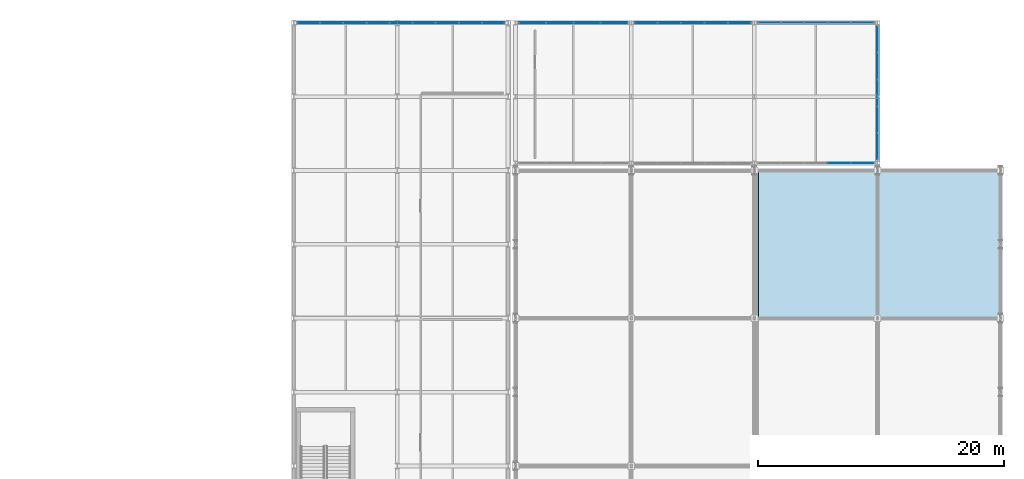
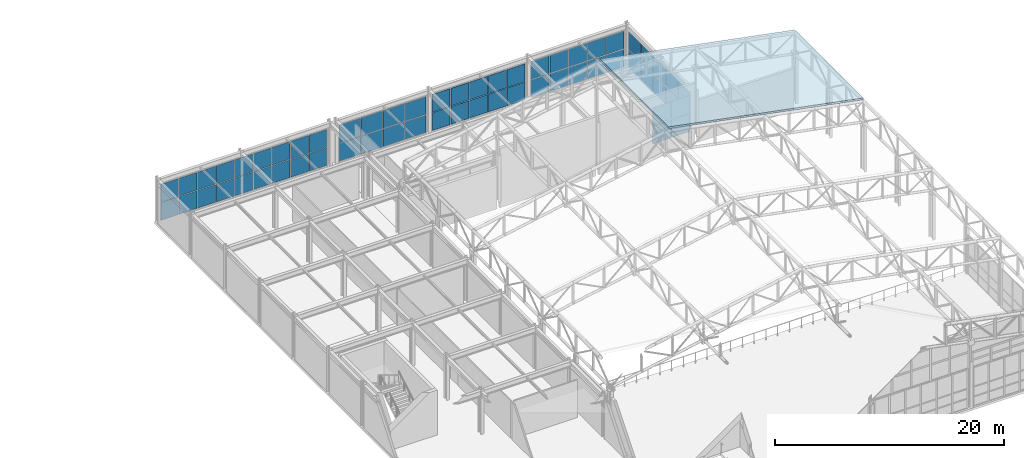
# One storey, part 93 of 112: 60 plates, 1 slab, 7 elements without a shape of their own.
"""IFC4 building model written with IfcOpenShell, lengths in metres."""

from ifc_helpers import new_model, si_unit, direction, frame, origin, origin_2d, place, context, subcontext, project, spatial, polyline, rectangle, outline, extrude, material, layer, layer_set, type_object, element, aggregate, save


model = new_model("IFC4")

# Units and contexts
model_context = context("Model", 3, precision=1e-05, world=origin(), true_north=direction((0.0, 1.0)))
body_context = subcontext(model_context, "Body", "Model", "MODEL_VIEW")
ifc_project = project(units=[si_unit("LENGTHUNIT", "METRE"), si_unit("AREAUNIT", "SQUARE_METRE"), si_unit("VOLUMEUNIT", "CUBIC_METRE"), si_unit("PLANEANGLEUNIT", "RADIAN"), si_unit("MASSUNIT", "GRAM", prefix="KILO")], contexts=[model_context])

# Site, building, storey
site_placement = place(None, origin())
site = spatial("IfcSite", under=ifc_project, at=site_placement, CompositionType="ELEMENT")
building_placement = place(site_placement, origin())
building = spatial("IfcBuilding", under=site, at=building_placement, Name="Kaldris Quays Convention Centre", CompositionType="ELEMENT")
storey_placement = place(building_placement, frame((0.0, 0.0, 16.800048828125)))
storey = spatial("IfcBuildingStorey", under=building, at=storey_placement, Name="L03", CompositionType="ELEMENT", Elevation=16.800048828125)

# Curtain wall, plates
ifc_material_1 = material(Name="Anodized aluminium AW-6060 and triple glazing", Category="aluminium")
curtain_wall_type_1 = type_object("IfcCurtainWallType", Name="UNITISED CURTAIN WALL CW06", PredefinedType="NOTDEFINED", material=ifc_material_1)
curtain_wall_1_placement = place(storey_placement, origin())
curtain_wall_1 = element("IfcCurtainWall", 1, at=curtain_wall_1_placement, inside=storey, type_object=curtain_wall_type_1, Name="L03 Unitised Curtain Wall CW06 177", PredefinedType="NOTDEFINED")
ifc_material_2 = material(Name="Triple low-E insulated glazing", Category="glass")
plate_type_1 = type_object("IfcPlateType", Name="CURTAIN GLAZING PANEL CWP1", PredefinedType="CURTAIN_PANEL", material=ifc_material_2)
plate_1_placement = place(storey_placement, frame((185.215087890625, 116.0, 0.059814453125), z_axis=(0.0, 0.0, 1.0), x_axis=(1.0, 0.0, 0.0)))
plate_1 = element("IfcPlate", 2, at=plate_1_placement, type_object=plate_type_1, Name="CW06 panel 1.1", PredefinedType="CURTAIN_PANEL", context=body_context, shape_type="SweptSolid", body=[
    extrude(rectangle(XDim=1.81005859375, YDim=0.029052734375, at=origin_2d()), origin(), (0.0, 0.0, 1.0), 1.89404296875),
])
plate_2_placement = place(storey_placement, frame((185.215087890625, 116.0, 2.013916015625), z_axis=(0.0, 0.0, 1.0), x_axis=(1.0, 0.0, 0.0)))
plate_2 = element("IfcPlate", 3, at=plate_2_placement, type_object=plate_type_1, Name="CW06 panel 1.2", PredefinedType="CURTAIN_PANEL", context=body_context, shape_type="SweptSolid", body=[
    extrude(rectangle(XDim=1.81005859375, YDim=0.029052734375, at=origin_2d()), origin(), (0.0, 0.0, 1.0), 1.89306640625),
])
plate_3_placement = place(storey_placement, frame((187.10009765625, 116.0, 0.059814453125), z_axis=(0.0, 0.0, 1.0), x_axis=(1.0, 0.0, 0.0)))
plate_3 = element("IfcPlate", 4, at=plate_3_placement, type_object=plate_type_1, Name="CW06 panel 2.1", PredefinedType="CURTAIN_PANEL", context=body_context, shape_type="SweptSolid", body=[
    extrude(rectangle(XDim=1.840087890625, YDim=0.029052734375, at=origin_2d()), origin(), (0.0, 0.0, 1.0), 1.89404296875),
])
plate_4_placement = place(storey_placement, frame((187.10009765625, 116.0, 2.013916015625), z_axis=(0.0, 0.0, 1.0), x_axis=(1.0, 0.0, 0.0)))
plate_4 = element("IfcPlate", 5, at=plate_4_placement, type_object=plate_type_1, Name="CW06 panel 2.2", PredefinedType="CURTAIN_PANEL", context=body_context, shape_type="SweptSolid", body=[
    extrude(rectangle(XDim=1.840087890625, YDim=0.029052734375, at=origin_2d()), origin(), (0.0, 0.0, 1.0), 1.89306640625),
])
plate_5_placement = place(storey_placement, frame((189.0, 116.0, 0.059814453125), z_axis=(0.0, 0.0, 1.0), x_axis=(1.0, 0.0, 0.0)))
plate_5 = element("IfcPlate", 6, at=plate_5_placement, type_object=plate_type_1, Name="CW06 panel 3.1", PredefinedType="CURTAIN_PANEL", context=body_context, shape_type="SweptSolid", body=[
    extrude(rectangle(XDim=1.840087890625, YDim=0.029052734375, at=origin_2d()), origin(), (0.0, 0.0, 1.0), 1.89404296875),
])
plate_6_placement = place(storey_placement, frame((189.0, 116.0, 2.013916015625), z_axis=(0.0, 0.0, 1.0), x_axis=(1.0, 0.0, 0.0)))
plate_6 = element("IfcPlate", 7, at=plate_6_placement, type_object=plate_type_1, Name="CW06 panel 3.2", PredefinedType="CURTAIN_PANEL", context=body_context, shape_type="SweptSolid", body=[
    extrude(rectangle(XDim=1.840087890625, YDim=0.029052734375, at=origin_2d()), origin(), (0.0, 0.0, 1.0), 1.89306640625),
])
plate_7_placement = place(storey_placement, frame((190.89990234375, 116.0, 0.059814453125), z_axis=(0.0, 0.0, 1.0), x_axis=(1.0, 0.0, 0.0)))
plate_7 = element("IfcPlate", 8, at=plate_7_placement, type_object=plate_type_1, Name="CW06 panel 4.1", PredefinedType="CURTAIN_PANEL", context=body_context, shape_type="SweptSolid", body=[
    extrude(rectangle(XDim=1.840087890625, YDim=0.029052734375, at=origin_2d()), origin(), (0.0, 0.0, 1.0), 1.89404296875),
])
plate_8_placement = place(storey_placement, frame((190.89990234375, 116.0, 2.013916015625), z_axis=(0.0, 0.0, 1.0), x_axis=(1.0, 0.0, 0.0)))
plate_8 = element("IfcPlate", 9, at=plate_8_placement, type_object=plate_type_1, Name="CW06 panel 4.2", PredefinedType="CURTAIN_PANEL", context=body_context, shape_type="SweptSolid", body=[
    extrude(rectangle(XDim=1.840087890625, YDim=0.029052734375, at=origin_2d()), origin(), (0.0, 0.0, 1.0), 1.89306640625),
])
plate_9_placement = place(storey_placement, frame((192.784912109375, 116.0, 0.059814453125), z_axis=(0.0, 0.0, 1.0), x_axis=(1.0, 0.0, 0.0)))
plate_9 = element("IfcPlate", 10, at=plate_9_placement, type_object=plate_type_1, Name="CW06 panel 5.1", PredefinedType="CURTAIN_PANEL", context=body_context, shape_type="SweptSolid", body=[
    extrude(rectangle(XDim=1.81005859375, YDim=0.029052734375, at=origin_2d()), origin(), (0.0, 0.0, 1.0), 1.89404296875),
])
plate_10_placement = place(storey_placement, frame((192.784912109375, 116.0, 2.013916015625), z_axis=(0.0, 0.0, 1.0), x_axis=(1.0, 0.0, 0.0)))
plate_10 = element("IfcPlate", 11, at=plate_10_placement, type_object=plate_type_1, Name="CW06 panel 5.2", PredefinedType="CURTAIN_PANEL", context=body_context, shape_type="SweptSolid", body=[
    extrude(rectangle(XDim=1.81005859375, YDim=0.029052734375, at=origin_2d()), origin(), (0.0, 0.0, 1.0), 1.89306640625),
])
aggregate(curtain_wall_1, [plate_1, plate_2, plate_3, plate_4, plate_5, plate_6, plate_7, plate_8, plate_9, plate_10])

curtain_wall_2_placement = place(storey_placement, origin())
curtain_wall_2 = element("IfcCurtainWall", 12, at=curtain_wall_2_placement, inside=storey, type_object=curtain_wall_type_1, Name="L03 Unitised Curtain Wall CW06 178", PredefinedType="NOTDEFINED")
plate_type_2 = type_object("IfcPlateType", Name="CURTAIN GLAZING PANEL CWP2", PredefinedType="CURTAIN_PANEL", material=ifc_material_2)
plate_11_placement = place(storey_placement, frame((190.89990234375, 104.60009765625, 0.059814453125), z_axis=(0.0, 0.0, 1.0), x_axis=(1.0, 0.0, 0.0)))
plate_11 = element("IfcPlate", 13, at=plate_11_placement, type_object=plate_type_2, Name="CW06 panel 4.1", PredefinedType="CURTAIN_PANEL", context=body_context, shape_type="SweptSolid", body=[
    extrude(rectangle(XDim=1.840087890625, YDim=0.033935546875, at=origin_2d()), origin(), (0.0, 0.0, 1.0), 1.89404296875),
])
plate_12_placement = place(storey_placement, frame((190.89990234375, 104.60009765625, 2.013916015625), z_axis=(0.0, 0.0, 1.0), x_axis=(1.0, 0.0, 0.0)))
plate_12 = element("IfcPlate", 14, at=plate_12_placement, type_object=plate_type_2, Name="CW06 panel 4.2", PredefinedType="CURTAIN_PANEL", context=body_context, shape_type="SweptSolid", body=[
    extrude(rectangle(XDim=1.840087890625, YDim=0.033935546875, at=origin_2d()), origin(), (0.0, 0.0, 1.0), 1.89306640625),
])
plate_13_placement = place(storey_placement, frame((192.784912109375, 104.60009765625, 0.059814453125), z_axis=(0.0, 0.0, 1.0), x_axis=(1.0, 0.0, 0.0)))
plate_13 = element("IfcPlate", 15, at=plate_13_placement, type_object=plate_type_2, Name="CW06 panel 5.1", PredefinedType="CURTAIN_PANEL", context=body_context, shape_type="SweptSolid", body=[
    extrude(rectangle(XDim=1.81005859375, YDim=0.033935546875, at=origin_2d()), origin(), (0.0, 0.0, 1.0), 1.89404296875),
])
plate_14_placement = place(storey_placement, frame((192.784912109375, 104.60009765625, 2.013916015625), z_axis=(0.0, 0.0, 1.0), x_axis=(1.0, 0.0, 0.0)))
plate_14 = element("IfcPlate", 16, at=plate_14_placement, type_object=plate_type_2, Name="CW06 panel 5.2", PredefinedType="CURTAIN_PANEL", context=body_context, shape_type="SweptSolid", body=[
    extrude(rectangle(XDim=1.81005859375, YDim=0.033935546875, at=origin_2d()), origin(), (0.0, 0.0, 1.0), 1.89306640625),
])
aggregate(curtain_wall_2, [plate_11, plate_12, plate_13, plate_14])

curtain_wall_3_placement = place(storey_placement, origin())
curtain_wall_3 = element("IfcCurtainWall", 17, at=curtain_wall_3_placement, inside=storey, type_object=curtain_wall_type_1, Name="L03 Unitised Curtain Wall CW06 179", PredefinedType="NOTDEFINED")
plate_type_3 = type_object("IfcPlateType", Name="CURTAIN GLAZING PANEL CWP3", PredefinedType="CURTAIN_PANEL", material=ifc_material_2)
plate_15_placement = place(storey_placement, frame((194.0, 105.955078125, 0.059814453125), z_axis=(0.0, 0.0, 1.0), x_axis=(0.0, 1.0, 0.0)))
plate_15 = element("IfcPlate", 18, at=plate_15_placement, type_object=plate_type_3, Name="CW06 panel 1.1", PredefinedType="CURTAIN_PANEL", context=body_context, shape_type="SweptSolid", body=[
    extrude(rectangle(XDim=2.090087890625, YDim=0.0390625, at=origin_2d()), origin(), (0.0, 0.0, 1.0), 1.89404296875),
])
plate_16_placement = place(storey_placement, frame((194.0, 105.955078125, 2.013916015625), z_axis=(0.0, 0.0, 1.0), x_axis=(0.0, 1.0, 0.0)))
plate_16 = element("IfcPlate", 19, at=plate_16_placement, type_object=plate_type_3, Name="CW06 panel 1.2", PredefinedType="CURTAIN_PANEL", context=body_context, shape_type="SweptSolid", body=[
    extrude(rectangle(XDim=2.090087890625, YDim=0.0390625, at=origin_2d()), origin(), (0.0, 0.0, 1.0), 1.89306640625),
])
plate_17_placement = place(storey_placement, frame((194.0, 108.1201171875, 0.059814453125), z_axis=(0.0, 0.0, 1.0), x_axis=(0.0, 1.0, 0.0)))
plate_17 = element("IfcPlate", 20, at=plate_17_placement, type_object=plate_type_3, Name="CW06 panel 2.1", PredefinedType="CURTAIN_PANEL", context=body_context, shape_type="SweptSolid", body=[
    extrude(rectangle(XDim=2.1201171875, YDim=0.0390625, at=origin_2d()), origin(), (0.0, 0.0, 1.0), 1.89404296875),
])
plate_18_placement = place(storey_placement, frame((194.0, 108.1201171875, 2.013916015625), z_axis=(0.0, 0.0, 1.0), x_axis=(0.0, 1.0, 0.0)))
plate_18 = element("IfcPlate", 21, at=plate_18_placement, type_object=plate_type_3, Name="CW06 panel 2.2", PredefinedType="CURTAIN_PANEL", context=body_context, shape_type="SweptSolid", body=[
    extrude(rectangle(XDim=2.1201171875, YDim=0.0390625, at=origin_2d()), origin(), (0.0, 0.0, 1.0), 1.89306640625),
])
plate_19_placement = place(storey_placement, frame((194.0, 110.300048828125, 0.059814453125), z_axis=(0.0, 0.0, 1.0), x_axis=(0.0, 1.0, 0.0)))
plate_19 = element("IfcPlate", 22, at=plate_19_placement, type_object=plate_type_3, Name="CW06 panel 3.1", PredefinedType="CURTAIN_PANEL", context=body_context, shape_type="SweptSolid", body=[
    extrude(rectangle(XDim=2.1201171875, YDim=0.0390625, at=origin_2d()), origin(), (0.0, 0.0, 1.0), 1.89404296875),
])
plate_20_placement = place(storey_placement, frame((194.0, 110.300048828125, 2.013916015625), z_axis=(0.0, 0.0, 1.0), x_axis=(0.0, 1.0, 0.0)))
plate_20 = element("IfcPlate", 23, at=plate_20_placement, type_object=plate_type_3, Name="CW06 panel 3.2", PredefinedType="CURTAIN_PANEL", context=body_context, shape_type="SweptSolid", body=[
    extrude(rectangle(XDim=2.1201171875, YDim=0.0390625, at=origin_2d()), origin(), (0.0, 0.0, 1.0), 1.89306640625),
])
plate_21_placement = place(storey_placement, frame((194.0, 112.47998046875, 0.059814453125), z_axis=(0.0, 0.0, 1.0), x_axis=(0.0, 1.0, 0.0)))
plate_21 = element("IfcPlate", 24, at=plate_21_placement, type_object=plate_type_3, Name="CW06 panel 4.1", PredefinedType="CURTAIN_PANEL", context=body_context, shape_type="SweptSolid", body=[
    extrude(rectangle(XDim=2.1201171875, YDim=0.0390625, at=origin_2d()), origin(), (0.0, 0.0, 1.0), 1.89404296875),
])
plate_22_placement = place(storey_placement, frame((194.0, 112.47998046875, 2.013916015625), z_axis=(0.0, 0.0, 1.0), x_axis=(0.0, 1.0, 0.0)))
plate_22 = element("IfcPlate", 25, at=plate_22_placement, type_object=plate_type_3, Name="CW06 panel 4.2", PredefinedType="CURTAIN_PANEL", context=body_context, shape_type="SweptSolid", body=[
    extrude(rectangle(XDim=2.1201171875, YDim=0.0390625, at=origin_2d()), origin(), (0.0, 0.0, 1.0), 1.89306640625),
])
plate_23_placement = place(storey_placement, frame((194.0, 114.64501953125, 0.059814453125), z_axis=(0.0, 0.0, 1.0), x_axis=(0.0, 1.0, 0.0)))
plate_23 = element("IfcPlate", 26, at=plate_23_placement, type_object=plate_type_3, Name="CW06 panel 5.1", PredefinedType="CURTAIN_PANEL", context=body_context, shape_type="SweptSolid", body=[
    extrude(rectangle(XDim=2.090087890625, YDim=0.0390625, at=origin_2d()), origin(), (0.0, 0.0, 1.0), 1.89404296875),
])
plate_24_placement = place(storey_placement, frame((194.0, 114.64501953125, 2.013916015625), z_axis=(0.0, 0.0, 1.0), x_axis=(0.0, 1.0, 0.0)))
plate_24 = element("IfcPlate", 27, at=plate_24_placement, type_object=plate_type_3, Name="CW06 panel 5.2", PredefinedType="CURTAIN_PANEL", context=body_context, shape_type="SweptSolid", body=[
    extrude(rectangle(XDim=2.090087890625, YDim=0.0390625, at=origin_2d()), origin(), (0.0, 0.0, 1.0), 1.89306640625),
])
aggregate(curtain_wall_3, [plate_15, plate_16, plate_17, plate_18, plate_19, plate_20, plate_21, plate_22, plate_23, plate_24])

curtain_wall_type_2 = type_object("IfcCurtainWallType", Name="UNITISED CURTAIN WALL CW05", PredefinedType="NOTDEFINED", material=ifc_material_1)
curtain_wall_4_placement = place(storey_placement, origin())
curtain_wall_4 = element("IfcCurtainWall", 28, at=curtain_wall_4_placement, inside=storey, type_object=curtain_wall_type_2, Name="L03 Unitised Curtain Wall CW05 148", PredefinedType="NOTDEFINED")
plate_type_4 = type_object("IfcPlateType", Name="CURTAIN GLAZING PANEL CWP4", PredefinedType="CURTAIN_PANEL", material=ifc_material_2)
plate_25_placement = place(storey_placement, frame((147.803955078125, 116.0, 0.059814453125), z_axis=(0.0, 0.0, 1.0), x_axis=(1.0, 0.0, 0.0)))
plate_25 = element("IfcPlate", 29, at=plate_25_placement, type_object=plate_type_4, Name="CW05 panel 1.1", PredefinedType="CURTAIN_PANEL", context=body_context, shape_type="SweptSolid", body=[
    extrude(rectangle(XDim=1.787841796875, YDim=0.0439453125, at=origin_2d()), origin(), (0.0, 0.0, 1.0), 1.89404296875),
])
plate_26_placement = place(storey_placement, frame((147.803955078125, 116.0, 2.013916015625), z_axis=(0.0, 0.0, 1.0), x_axis=(1.0, 0.0, 0.0)))
plate_26 = element("IfcPlate", 30, at=plate_26_placement, type_object=plate_type_4, Name="CW05 panel 1.2", PredefinedType="CURTAIN_PANEL", context=body_context, shape_type="SweptSolid", body=[
    extrude(rectangle(XDim=1.787841796875, YDim=0.0439453125, at=origin_2d()), origin(), (0.0, 0.0, 1.0), 1.89306640625),
])
plate_27_placement = place(storey_placement, frame((149.666748046875, 116.0, 0.059814453125), z_axis=(0.0, 0.0, 1.0), x_axis=(1.0, 0.0, 0.0)))
plate_27 = element("IfcPlate", 31, at=plate_27_placement, type_object=plate_type_4, Name="CW05 panel 2.1", PredefinedType="CURTAIN_PANEL", context=body_context, shape_type="SweptSolid", body=[
    extrude(rectangle(XDim=1.81787109375, YDim=0.0439453125, at=origin_2d()), origin(), (0.0, 0.0, 1.0), 1.89404296875),
])
plate_28_placement = place(storey_placement, frame((149.666748046875, 116.0, 2.013916015625), z_axis=(0.0, 0.0, 1.0), x_axis=(1.0, 0.0, 0.0)))
plate_28 = element("IfcPlate", 32, at=plate_28_placement, type_object=plate_type_4, Name="CW05 panel 2.2", PredefinedType="CURTAIN_PANEL", context=body_context, shape_type="SweptSolid", body=[
    extrude(rectangle(XDim=1.81787109375, YDim=0.0439453125, at=origin_2d()), origin(), (0.0, 0.0, 1.0), 1.89306640625),
])
plate_29_placement = place(storey_placement, frame((151.54443359375, 116.0, 0.059814453125), z_axis=(0.0, 0.0, 1.0), x_axis=(1.0, 0.0, 0.0)))
plate_29 = element("IfcPlate", 33, at=plate_29_placement, type_object=plate_type_4, Name="CW05 panel 3.1", PredefinedType="CURTAIN_PANEL", context=body_context, shape_type="SweptSolid", body=[
    extrude(rectangle(XDim=1.81787109375, YDim=0.0439453125, at=origin_2d()), origin(), (0.0, 0.0, 1.0), 1.89404296875),
])
plate_30_placement = place(storey_placement, frame((151.54443359375, 116.0, 2.013916015625), z_axis=(0.0, 0.0, 1.0), x_axis=(1.0, 0.0, 0.0)))
plate_30 = element("IfcPlate", 34, at=plate_30_placement, type_object=plate_type_4, Name="CW05 panel 3.2", PredefinedType="CURTAIN_PANEL", context=body_context, shape_type="SweptSolid", body=[
    extrude(rectangle(XDim=1.81787109375, YDim=0.0439453125, at=origin_2d()), origin(), (0.0, 0.0, 1.0), 1.89306640625),
])
plate_31_placement = place(storey_placement, frame((153.422119140625, 116.0, 0.059814453125), z_axis=(0.0, 0.0, 1.0), x_axis=(1.0, 0.0, 0.0)))
plate_31 = element("IfcPlate", 35, at=plate_31_placement, type_object=plate_type_4, Name="CW05 panel 4.1", PredefinedType="CURTAIN_PANEL", context=body_context, shape_type="SweptSolid", body=[
    extrude(rectangle(XDim=1.81787109375, YDim=0.0439453125, at=origin_2d()), origin(), (0.0, 0.0, 1.0), 1.89404296875),
])
plate_32_placement = place(storey_placement, frame((153.422119140625, 116.0, 2.013916015625), z_axis=(0.0, 0.0, 1.0), x_axis=(1.0, 0.0, 0.0)))
plate_32 = element("IfcPlate", 36, at=plate_32_placement, type_object=plate_type_4, Name="CW05 panel 4.2", PredefinedType="CURTAIN_PANEL", context=body_context, shape_type="SweptSolid", body=[
    extrude(rectangle(XDim=1.81787109375, YDim=0.0439453125, at=origin_2d()), origin(), (0.0, 0.0, 1.0), 1.89306640625),
])
plate_33_placement = place(storey_placement, frame((155.300048828125, 116.0, 0.059814453125), z_axis=(0.0, 0.0, 1.0), x_axis=(1.0, 0.0, 0.0)))
plate_33 = element("IfcPlate", 37, at=plate_33_placement, type_object=plate_type_4, Name="CW05 panel 5.1", PredefinedType="CURTAIN_PANEL", context=body_context, shape_type="SweptSolid", body=[
    extrude(rectangle(XDim=1.81787109375, YDim=0.0439453125, at=origin_2d()), origin(), (0.0, 0.0, 1.0), 1.89404296875),
])
plate_34_placement = place(storey_placement, frame((155.300048828125, 116.0, 2.013916015625), z_axis=(0.0, 0.0, 1.0), x_axis=(1.0, 0.0, 0.0)))
plate_34 = element("IfcPlate", 38, at=plate_34_placement, type_object=plate_type_4, Name="CW05 panel 5.2", PredefinedType="CURTAIN_PANEL", context=body_context, shape_type="SweptSolid", body=[
    extrude(rectangle(XDim=1.81787109375, YDim=0.0439453125, at=origin_2d()), origin(), (0.0, 0.0, 1.0), 1.89306640625),
])
plate_35_placement = place(storey_placement, frame((157.177734375, 116.0, 0.059814453125), z_axis=(0.0, 0.0, 1.0), x_axis=(1.0, 0.0, 0.0)))
plate_35 = element("IfcPlate", 39, at=plate_35_placement, type_object=plate_type_4, Name="CW05 panel 6.1", PredefinedType="CURTAIN_PANEL", context=body_context, shape_type="SweptSolid", body=[
    extrude(rectangle(XDim=1.81787109375, YDim=0.0439453125, at=origin_2d()), origin(), (0.0, 0.0, 1.0), 1.89404296875),
])
plate_36_placement = place(storey_placement, frame((157.177734375, 116.0, 2.013916015625), z_axis=(0.0, 0.0, 1.0), x_axis=(1.0, 0.0, 0.0)))
plate_36 = element("IfcPlate", 40, at=plate_36_placement, type_object=plate_type_4, Name="CW05 panel 6.2", PredefinedType="CURTAIN_PANEL", context=body_context, shape_type="SweptSolid", body=[
    extrude(rectangle(XDim=1.81787109375, YDim=0.0439453125, at=origin_2d()), origin(), (0.0, 0.0, 1.0), 1.89306640625),
])
plate_37_placement = place(storey_placement, frame((159.0556640625, 116.0, 0.059814453125), z_axis=(0.0, 0.0, 1.0), x_axis=(1.0, 0.0, 0.0)))
plate_37 = element("IfcPlate", 41, at=plate_37_placement, type_object=plate_type_4, Name="CW05 panel 7.1", PredefinedType="CURTAIN_PANEL", context=body_context, shape_type="SweptSolid", body=[
    extrude(rectangle(XDim=1.81787109375, YDim=0.0439453125, at=origin_2d()), origin(), (0.0, 0.0, 1.0), 1.89404296875),
])
plate_38_placement = place(storey_placement, frame((159.0556640625, 116.0, 2.013916015625), z_axis=(0.0, 0.0, 1.0), x_axis=(1.0, 0.0, 0.0)))
plate_38 = element("IfcPlate", 42, at=plate_38_placement, type_object=plate_type_4, Name="CW05 panel 7.2", PredefinedType="CURTAIN_PANEL", context=body_context, shape_type="SweptSolid", body=[
    extrude(rectangle(XDim=1.81787109375, YDim=0.0439453125, at=origin_2d()), origin(), (0.0, 0.0, 1.0), 1.89306640625),
])
plate_39_placement = place(storey_placement, frame((160.933349609375, 116.0, 0.059814453125), z_axis=(0.0, 0.0, 1.0), x_axis=(1.0, 0.0, 0.0)))
plate_39 = element("IfcPlate", 43, at=plate_39_placement, type_object=plate_type_4, Name="CW05 panel 8.1", PredefinedType="CURTAIN_PANEL", context=body_context, shape_type="SweptSolid", body=[
    extrude(rectangle(XDim=1.81787109375, YDim=0.0439453125, at=origin_2d()), origin(), (0.0, 0.0, 1.0), 1.89404296875),
])
plate_40_placement = place(storey_placement, frame((160.933349609375, 116.0, 2.013916015625), z_axis=(0.0, 0.0, 1.0), x_axis=(1.0, 0.0, 0.0)))
plate_40 = element("IfcPlate", 44, at=plate_40_placement, type_object=plate_type_4, Name="CW05 panel 8.2", PredefinedType="CURTAIN_PANEL", context=body_context, shape_type="SweptSolid", body=[
    extrude(rectangle(XDim=1.81787109375, YDim=0.0439453125, at=origin_2d()), origin(), (0.0, 0.0, 1.0), 1.89306640625),
])
plate_41_placement = place(storey_placement, frame((162.796142578125, 116.0, 0.059814453125), z_axis=(0.0, 0.0, 1.0), x_axis=(1.0, 0.0, 0.0)))
plate_41 = element("IfcPlate", 45, at=plate_41_placement, type_object=plate_type_4, Name="CW05 panel 9.1", PredefinedType="CURTAIN_PANEL", context=body_context, shape_type="SweptSolid", body=[
    extrude(rectangle(XDim=1.787841796875, YDim=0.0439453125, at=origin_2d()), origin(), (0.0, 0.0, 1.0), 1.89404296875),
])
plate_42_placement = place(storey_placement, frame((162.796142578125, 116.0, 2.013916015625), z_axis=(0.0, 0.0, 1.0), x_axis=(1.0, 0.0, 0.0)))
plate_42 = element("IfcPlate", 46, at=plate_42_placement, type_object=plate_type_4, Name="CW05 panel 9.2", PredefinedType="CURTAIN_PANEL", context=body_context, shape_type="SweptSolid", body=[
    extrude(rectangle(XDim=1.787841796875, YDim=0.0439453125, at=origin_2d()), origin(), (0.0, 0.0, 1.0), 1.89306640625),
])
aggregate(curtain_wall_4, [plate_25, plate_26, plate_27, plate_28, plate_29, plate_30, plate_31, plate_32, plate_33, plate_34, plate_35, plate_36, plate_37, plate_38, plate_39, plate_40, plate_41, plate_42])

curtain_wall_5_placement = place(storey_placement, origin())
curtain_wall_5 = element("IfcCurtainWall", 47, at=curtain_wall_5_placement, inside=storey, type_object=curtain_wall_type_1, Name="L03 Unitised Curtain Wall CW06 173", PredefinedType="NOTDEFINED")
plate_type_5 = type_object("IfcPlateType", Name="CURTAIN GLAZING PANEL CWP5", PredefinedType="CURTAIN_PANEL", material=ifc_material_2)
plate_43_placement = place(storey_placement, frame((165.9775390625, 116.0, 0.059814453125), z_axis=(0.0, 0.0, 1.0), x_axis=(1.0, 0.0, 0.0)))
plate_43 = element("IfcPlate", 48, at=plate_43_placement, type_object=plate_type_5, Name="CW06 panel 1.1", PredefinedType="CURTAIN_PANEL", context=body_context, shape_type="SweptSolid", body=[
    extrude(rectangle(XDim=2.135009765625, YDim=0.049072265625, at=origin_2d()), origin(), (0.0, 0.0, 1.0), 1.89404296875),
])
plate_44_placement = place(storey_placement, frame((165.9775390625, 116.0, 2.013916015625), z_axis=(0.0, 0.0, 1.0), x_axis=(1.0, 0.0, 0.0)))
plate_44 = element("IfcPlate", 49, at=plate_44_placement, type_object=plate_type_5, Name="CW06 panel 1.2", PredefinedType="CURTAIN_PANEL", context=body_context, shape_type="SweptSolid", body=[
    extrude(rectangle(XDim=2.135009765625, YDim=0.049072265625, at=origin_2d()), origin(), (0.0, 0.0, 1.0), 1.89306640625),
])
plate_45_placement = place(storey_placement, frame((168.1875, 116.0, 0.059814453125), z_axis=(0.0, 0.0, 1.0), x_axis=(1.0, 0.0, 0.0)))
plate_45 = element("IfcPlate", 50, at=plate_45_placement, type_object=plate_type_5, Name="CW06 panel 2.1", PredefinedType="CURTAIN_PANEL", context=body_context, shape_type="SweptSolid", body=[
    extrude(rectangle(XDim=2.1650390625, YDim=0.049072265625, at=origin_2d()), origin(), (0.0, 0.0, 1.0), 1.89404296875),
])
plate_46_placement = place(storey_placement, frame((168.1875, 116.0, 2.013916015625), z_axis=(0.0, 0.0, 1.0), x_axis=(1.0, 0.0, 0.0)))
plate_46 = element("IfcPlate", 51, at=plate_46_placement, type_object=plate_type_5, Name="CW06 panel 2.2", PredefinedType="CURTAIN_PANEL", context=body_context, shape_type="SweptSolid", body=[
    extrude(rectangle(XDim=2.1650390625, YDim=0.049072265625, at=origin_2d()), origin(), (0.0, 0.0, 1.0), 1.89306640625),
])
plate_47_placement = place(storey_placement, frame((170.41259765625, 116.0, 0.059814453125), z_axis=(0.0, 0.0, 1.0), x_axis=(1.0, 0.0, 0.0)))
plate_47 = element("IfcPlate", 52, at=plate_47_placement, type_object=plate_type_5, Name="CW06 panel 3.1", PredefinedType="CURTAIN_PANEL", context=body_context, shape_type="SweptSolid", body=[
    extrude(rectangle(XDim=2.1650390625, YDim=0.049072265625, at=origin_2d()), origin(), (0.0, 0.0, 1.0), 1.89404296875),
])
plate_48_placement = place(storey_placement, frame((170.41259765625, 116.0, 2.013916015625), z_axis=(0.0, 0.0, 1.0), x_axis=(1.0, 0.0, 0.0)))
plate_48 = element("IfcPlate", 53, at=plate_48_placement, type_object=plate_type_5, Name="CW06 panel 3.2", PredefinedType="CURTAIN_PANEL", context=body_context, shape_type="SweptSolid", body=[
    extrude(rectangle(XDim=2.1650390625, YDim=0.049072265625, at=origin_2d()), origin(), (0.0, 0.0, 1.0), 1.89306640625),
])
plate_49_placement = place(storey_placement, frame((172.62255859375, 116.0, 0.059814453125), z_axis=(0.0, 0.0, 1.0), x_axis=(1.0, 0.0, 0.0)))
plate_49 = element("IfcPlate", 54, at=plate_49_placement, type_object=plate_type_5, Name="CW06 panel 4.1", PredefinedType="CURTAIN_PANEL", context=body_context, shape_type="SweptSolid", body=[
    extrude(rectangle(XDim=2.135009765625, YDim=0.049072265625, at=origin_2d()), origin(), (0.0, 0.0, 1.0), 1.89404296875),
])
plate_50_placement = place(storey_placement, frame((172.62255859375, 116.0, 2.013916015625), z_axis=(0.0, 0.0, 1.0), x_axis=(1.0, 0.0, 0.0)))
plate_50 = element("IfcPlate", 55, at=plate_50_placement, type_object=plate_type_5, Name="CW06 panel 4.2", PredefinedType="CURTAIN_PANEL", context=body_context, shape_type="SweptSolid", body=[
    extrude(rectangle(XDim=2.135009765625, YDim=0.049072265625, at=origin_2d()), origin(), (0.0, 0.0, 1.0), 1.89306640625),
])
aggregate(curtain_wall_5, [plate_43, plate_44, plate_45, plate_46, plate_47, plate_48, plate_49, plate_50])

curtain_wall_6_placement = place(storey_placement, origin())
curtain_wall_6 = element("IfcCurtainWall", 56, at=curtain_wall_6_placement, inside=storey, type_object=curtain_wall_type_1, Name="L03 Unitised Curtain Wall CW06 175", PredefinedType="NOTDEFINED")
plate_type_6 = type_object("IfcPlateType", Name="CURTAIN GLAZING PANEL CWP7", PredefinedType="CURTAIN_PANEL", material=ifc_material_2)
plate_51_placement = place(storey_placement, frame((175.215087890625, 116.0, 0.059814453125), z_axis=(0.0, 0.0, 1.0), x_axis=(1.0, 0.0, 0.0)))
plate_51 = element("IfcPlate", 57, at=plate_51_placement, type_object=plate_type_6, Name="CW06 panel 1.1", PredefinedType="CURTAIN_PANEL", context=body_context, shape_type="SweptSolid", body=[
    extrude(rectangle(XDim=1.81005859375, YDim=0.05908203125, at=origin_2d()), origin(), (0.0, 0.0, 1.0), 1.89404296875),
])
plate_52_placement = place(storey_placement, frame((175.215087890625, 116.0, 2.013916015625), z_axis=(0.0, 0.0, 1.0), x_axis=(1.0, 0.0, 0.0)))
plate_52 = element("IfcPlate", 58, at=plate_52_placement, type_object=plate_type_6, Name="CW06 panel 1.2", PredefinedType="CURTAIN_PANEL", context=body_context, shape_type="SweptSolid", body=[
    extrude(rectangle(XDim=1.81005859375, YDim=0.05908203125, at=origin_2d()), origin(), (0.0, 0.0, 1.0), 1.89306640625),
])
plate_53_placement = place(storey_placement, frame((177.10009765625, 116.0, 0.059814453125), z_axis=(0.0, 0.0, 1.0), x_axis=(1.0, 0.0, 0.0)))
plate_53 = element("IfcPlate", 59, at=plate_53_placement, type_object=plate_type_6, Name="CW06 panel 2.1", PredefinedType="CURTAIN_PANEL", context=body_context, shape_type="SweptSolid", body=[
    extrude(rectangle(XDim=1.840087890625, YDim=0.05908203125, at=origin_2d()), origin(), (0.0, 0.0, 1.0), 1.89404296875),
])
plate_54_placement = place(storey_placement, frame((177.10009765625, 116.0, 2.013916015625), z_axis=(0.0, 0.0, 1.0), x_axis=(1.0, 0.0, 0.0)))
plate_54 = element("IfcPlate", 60, at=plate_54_placement, type_object=plate_type_6, Name="CW06 panel 2.2", PredefinedType="CURTAIN_PANEL", context=body_context, shape_type="SweptSolid", body=[
    extrude(rectangle(XDim=1.840087890625, YDim=0.05908203125, at=origin_2d()), origin(), (0.0, 0.0, 1.0), 1.89306640625),
])
plate_55_placement = place(storey_placement, frame((179.0, 116.0, 0.059814453125), z_axis=(0.0, 0.0, 1.0), x_axis=(1.0, 0.0, 0.0)))
plate_55 = element("IfcPlate", 61, at=plate_55_placement, type_object=plate_type_6, Name="CW06 panel 3.1", PredefinedType="CURTAIN_PANEL", context=body_context, shape_type="SweptSolid", body=[
    extrude(rectangle(XDim=1.840087890625, YDim=0.05908203125, at=origin_2d()), origin(), (0.0, 0.0, 1.0), 1.89404296875),
])
plate_56_placement = place(storey_placement, frame((179.0, 116.0, 2.013916015625), z_axis=(0.0, 0.0, 1.0), x_axis=(1.0, 0.0, 0.0)))
plate_56 = element("IfcPlate", 62, at=plate_56_placement, type_object=plate_type_6, Name="CW06 panel 3.2", PredefinedType="CURTAIN_PANEL", context=body_context, shape_type="SweptSolid", body=[
    extrude(rectangle(XDim=1.840087890625, YDim=0.05908203125, at=origin_2d()), origin(), (0.0, 0.0, 1.0), 1.89306640625),
])
plate_57_placement = place(storey_placement, frame((180.89990234375, 116.0, 0.059814453125), z_axis=(0.0, 0.0, 1.0), x_axis=(1.0, 0.0, 0.0)))
plate_57 = element("IfcPlate", 63, at=plate_57_placement, type_object=plate_type_6, Name="CW06 panel 4.1", PredefinedType="CURTAIN_PANEL", context=body_context, shape_type="SweptSolid", body=[
    extrude(rectangle(XDim=1.840087890625, YDim=0.05908203125, at=origin_2d()), origin(), (0.0, 0.0, 1.0), 1.89404296875),
])
plate_58_placement = place(storey_placement, frame((180.89990234375, 116.0, 2.013916015625), z_axis=(0.0, 0.0, 1.0), x_axis=(1.0, 0.0, 0.0)))
plate_58 = element("IfcPlate", 64, at=plate_58_placement, type_object=plate_type_6, Name="CW06 panel 4.2", PredefinedType="CURTAIN_PANEL", context=body_context, shape_type="SweptSolid", body=[
    extrude(rectangle(XDim=1.840087890625, YDim=0.05908203125, at=origin_2d()), origin(), (0.0, 0.0, 1.0), 1.89306640625),
])
plate_59_placement = place(storey_placement, frame((182.784912109375, 116.0, 0.059814453125), z_axis=(0.0, 0.0, 1.0), x_axis=(1.0, 0.0, 0.0)))
plate_59 = element("IfcPlate", 65, at=plate_59_placement, type_object=plate_type_6, Name="CW06 panel 5.1", PredefinedType="CURTAIN_PANEL", context=body_context, shape_type="SweptSolid", body=[
    extrude(rectangle(XDim=1.81005859375, YDim=0.05908203125, at=origin_2d()), origin(), (0.0, 0.0, 1.0), 1.89404296875),
])
plate_60_placement = place(storey_placement, frame((182.784912109375, 116.0, 2.013916015625), z_axis=(0.0, 0.0, 1.0), x_axis=(1.0, 0.0, 0.0)))
plate_60 = element("IfcPlate", 66, at=plate_60_placement, type_object=plate_type_6, Name="CW06 panel 5.2", PredefinedType="CURTAIN_PANEL", context=body_context, shape_type="SweptSolid", body=[
    extrude(rectangle(XDim=1.81005859375, YDim=0.05908203125, at=origin_2d()), origin(), (0.0, 0.0, 1.0), 1.89306640625),
])
aggregate(curtain_wall_6, [plate_51, plate_52, plate_53, plate_54, plate_55, plate_56, plate_57, plate_58, plate_59, plate_60])

# Roof, slab
ifc_material_3 = material(Name="Steel S355J2", Category="steel")
ifc_layer_1 = layer(ifc_material_3, 0.175048828125)
ifc_layer_set_1 = layer_set([ifc_layer_1], Name="Steel S355J2")
roof_type = type_object("IfcRoofType", Name="SPACE FRAME GABLE ROOF RF01", PredefinedType="GABLE_ROOF", material=ifc_layer_set_1)
roof_placement = place(storey_placement, origin())
roof = element("IfcRoof", 67, at=roof_placement, inside=storey, type_object=roof_type, Name="Space-Frame Roof ROOF-V2-SF", PredefinedType="GABLE_ROOF")
ifc_layer_2 = layer(ifc_material_3, 0.18798828125)
ifc_layer_set_2 = layer_set([ifc_layer_2], Name="Steel S355J2")
slab_type = type_object("IfcSlabType", Name="STRUCTURAL SLAB RS03", PredefinedType="ROOF", material=ifc_layer_set_2)
slab_placement = place(storey_placement, frame((184.324951171875, 92.0, 11.47607421875), z_axis=(0.189400946762, 0.0, 0.981899832654), x_axis=(0.981899832654, 0.0, -0.189400946762)))
slab = element("IfcSlab", 68, at=slab_placement, type_object=slab_type, Name="SF-V2 Pitched Roof Deck 2.4", PredefinedType="ROOF", context=body_context, shape_type="SweptSolid", body=[
    extrude(outline(polyline([(0.0, 0.0), (20.037735188270602, 0.0), (20.037735188270602, 12.0), (0.0, 12.0), (0.0, 0.0)])), origin(), (0.0, 0.0, -1.0), 0.18798828125),
])
aggregate(roof, [slab])

save(model, "model.ifc")
